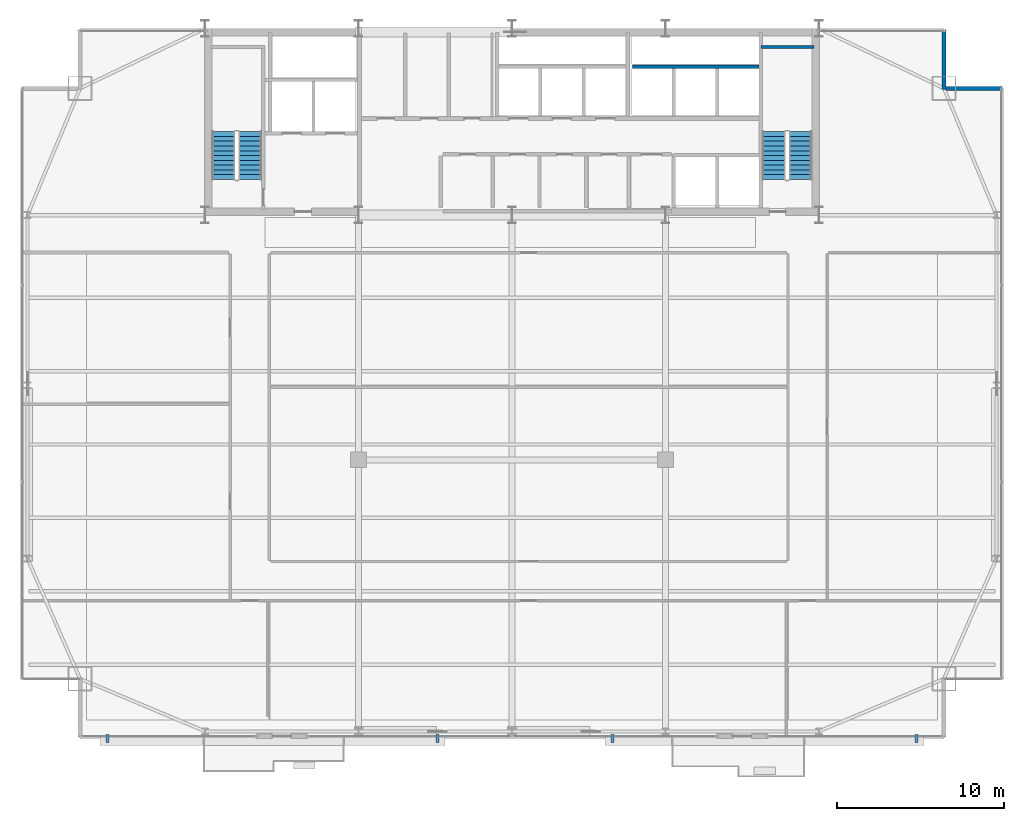
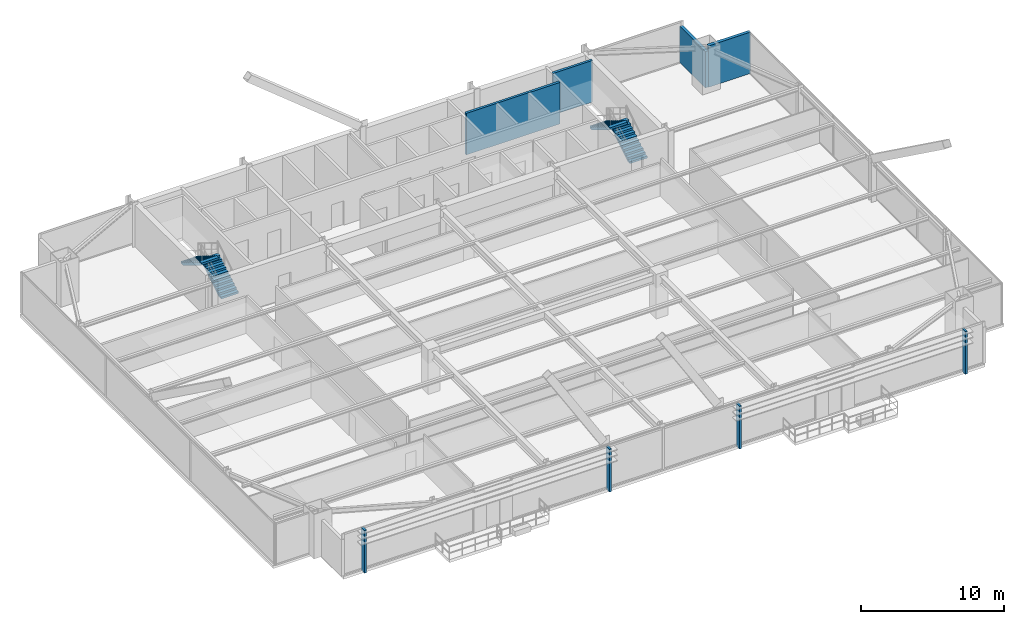
# One storey, part 35 of 37: 4 discrete accessories, 4 stair flights, 4 walls, 2 elements without a shape of their own.
"""IFC4 building model written with IfcOpenShell, lengths in metres."""

from ifc_helpers import new_model, si_unit, direction, frame, frame_2d, origin, origin_2d, place, context, subcontext, project, spatial, polyline, rectangle, outline, extrude, source, transform, mapped, material, layer, layer_set, type_object, type_shapes, element, aggregate, save


model = new_model("IFC4")

# Units and contexts
model_context = context("Model", 3, precision=1e-05, world=origin(), true_north=direction((0.0, 1.0)))
body_context = subcontext(model_context, "Body", "Model", "MODEL_VIEW")
ifc_project = project(units=[si_unit("LENGTHUNIT", "METRE"), si_unit("AREAUNIT", "SQUARE_METRE"), si_unit("VOLUMEUNIT", "CUBIC_METRE"), si_unit("PLANEANGLEUNIT", "RADIAN"), si_unit("MASSUNIT", "GRAM", prefix="KILO")], contexts=[model_context])

# Site, building, storey
site_placement = place(None, origin())
site = spatial("IfcSite", under=ifc_project, at=site_placement, CompositionType="ELEMENT")
building_placement = place(site_placement, origin())
building = spatial("IfcBuilding", under=site, at=building_placement, Name="Varnel Quay Broadcast Tower", CompositionType="ELEMENT")
storey_placement = place(building_placement, frame((0.0, 0.0, 106.800048828125)))
storey = spatial("IfcBuildingStorey", under=building, at=storey_placement, Name="L25", CompositionType="ELEMENT", Elevation=106.800048828125)

# Walls
ifc_material_1 = material(Name="Concrete CSA A23.3 C50/60", Category="concrete")
ifc_layer_1 = layer(ifc_material_1, 0.199951171875, Name="Concrete CSA A23.3 C50/60")
ifc_layer_set_1 = layer_set([ifc_layer_1], Name="Concrete CSA A23.3 C50/60")
wall_type_1 = type_object("IfcWallType", Name="Wall_CoreShaftShear200", PredefinedType="SHEAR", material=ifc_layer_set_1)
wall_1_placement = place(storey_placement, frame((48.919921875, 45.679931640625, 0.0), z_axis=(0.0, 0.0, 1.0), x_axis=(1.0, 0.0, 0.0)))
element("IfcWall", 1, at=wall_1_placement, inside=storey, type_object=wall_type_1, Name="L25 Stair 2 North Structural Wall", PredefinedType="SHEAR", context=body_context, shape_type="SweptSolid", body=[
    extrude(rectangle(XDim=3.18017578125, YDim=0.199951171875, at=frame_2d((1.590087890625, 0.0))), origin(), (0.0, 0.0, 1.0), 3.550048828125),
])
wall_2_placement = place(storey_placement, frame((41.219970703125, 44.5, 0.0), z_axis=(0.0, 0.0, 1.0), x_axis=(1.0, 0.0, 0.0)))
element("IfcWall", 2, at=wall_2_placement, inside=storey, type_object=wall_type_1, Name="L25 High-Rise Lift Shaft Rear Wall", PredefinedType="SHEAR", context=body_context, shape_type="SweptSolid", body=[
    extrude(rectangle(XDim=7.580078125, YDim=0.199951171875, at=frame_2d((3.7900390625, 0.0))), origin(), (0.0, 0.0, 1.0), 3.550048828125),
])
ifc_material_2 = material(Name="Precast Architectural Concrete C40/50", Category="concrete")
ifc_layer_2 = layer(ifc_material_2, 0.25, Name="Precast Architectural Concrete C40/50")
ifc_layer_set_2 = layer_set([ifc_layer_2], Name="Precast Architectural Concrete C40/50")
wall_type_2 = type_object("IfcWallType", Name="Wall_ExtTerrace250", PredefinedType="SOLIDWALL", material=ifc_layer_set_2)
wall_3_placement = place(storey_placement, frame((60.030029296875, 43.199951171875, 0.0), z_axis=(0.0, 0.0, 1.0), x_axis=(1.0, 0.0, 0.0)))
element("IfcWall", 3, at=wall_3_placement, inside=storey, type_object=wall_type_2, Name="L25 Mega-Column Notch Cladding Wall NNE1", PredefinedType="SOLIDWALL", context=body_context, shape_type="SweptSolid", body=[
    extrude(rectangle(XDim=3.389892578125, YDim=0.25, at=frame_2d((1.69482421875, 0.0))), origin(), (0.0, 0.0, 1.0), 3.530029296875),
])
wall_4_placement = place(storey_placement, frame((59.89990234375, 43.1201171875, 0.0), z_axis=(0.0, 0.0, 1.0), x_axis=(0.0, 1.0, 0.0)))
element("IfcWall", 4, at=wall_4_placement, inside=storey, type_object=wall_type_2, Name="L25 Mega-Column Notch Cladding Wall NNE2", PredefinedType="SOLIDWALL", context=body_context, shape_type="SweptSolid", body=[
    extrude(rectangle(XDim=3.599853515625, YDim=0.25, at=frame_2d((1.7998046875, 0.0))), origin(), (0.0, 0.0, 1.0), 3.10791015625),
])

# Stair, stair flights
ifc_material_3 = material(Name="Precast Structural Concrete C40/50", Category="concrete")
stair_type_1 = type_object("IfcStairType", Name="Stair_ST-01", PredefinedType="HALF_TURN_STAIR", material=ifc_material_3)
stair_1_placement = place(storey_placement, origin())
stair_1 = element("IfcStair", 5, at=stair_1_placement, inside=storey, type_object=stair_type_1, Name="L25 West Core Exit Stair 1", PredefinedType="HALF_TURN_STAIR")
stair_flight_type_1 = type_object("IfcStairFlightType", Name="Flight_ST-01", PredefinedType="STRAIGHT", material=ifc_material_3)
stair_flight_1_placement = place(storey_placement, frame((18.300048828125, 37.75, 0.0), z_axis=(0.0, 0.0, 1.0), x_axis=(0.0, 1.0, 0.0)))
stair_flight_1 = element("IfcStairFlight", 6, at=stair_flight_1_placement, type_object=stair_flight_type_1, Name="ST-01 flight 1", NumberOfRisers=11, NumberOfTreads=10, PredefinedType="STRAIGHT", RiserHeight=0.172727273, TreadLength=0.285, context=body_context, shape_type="SweptSolid", body=[
    extrude(outline(polyline([(0.0, 0.0), (0.0, 0.172607421875), (0.284912109375, 0.172607421875), (0.284912109375, 0.345458984375), (0.570068359375, 0.345458984375), (0.570068359375, 0.51806640625), (0.85498046875, 0.51806640625), (0.85498046875, 0.69091796875), (1.139892578125, 0.69091796875), (1.139892578125, 0.863525390625), (1.425048828125, 0.863525390625), (1.425048828125, 1.036376953125), (1.7099609375, 1.036376953125), (1.7099609375, 1.208984375), (1.9951171875, 1.208984375), (1.9951171875, 1.3818359375), (2.280029296875, 1.3818359375), (2.280029296875, 1.554443359375), (2.56494140625, 1.554443359375), (2.56494140625, 1.727294921875), (2.85009765625, 1.727294921875), (2.85009765625, 1.89990234375), (2.85009765625, 1.552001953125), (0.289306640625, 0.0), (0.0, 0.0)])), frame((0.0, 0.699951171875, 0.0), z_axis=(0.0, -1.0, 0.0), x_axis=(1.0, 0.0, 0.0)), (0.0, 0.0, 1.0), 1.39990234375),
])
stair_flight_2_placement = place(storey_placement, frame((16.699951171875, 40.60009765625, 1.89990234375), z_axis=(0.0, 0.0, 1.0), x_axis=(0.0, -1.0, 0.0)))
stair_flight_2 = element("IfcStairFlight", 7, at=stair_flight_2_placement, type_object=stair_flight_type_1, Name="ST-01 flight 2", NumberOfRisers=11, NumberOfTreads=10, PredefinedType="STRAIGHT", RiserHeight=0.172727273, TreadLength=0.285, context=body_context, shape_type="SweptSolid", body=[
    extrude(outline(polyline([(0.0, 0.0), (0.0, 0.172607421875), (0.284912109375, 0.172607421875), (0.284912109375, 0.345458984375), (0.570068359375, 0.345458984375), (0.570068359375, 0.51806640625), (0.85498046875, 0.51806640625), (0.85498046875, 0.69091796875), (1.139892578125, 0.69091796875), (1.139892578125, 0.863525390625), (1.425048828125, 0.863525390625), (1.425048828125, 1.036376953125), (1.7099609375, 1.036376953125), (1.7099609375, 1.208984375), (1.9951171875, 1.208984375), (1.9951171875, 1.3818359375), (2.280029296875, 1.3818359375), (2.280029296875, 1.554443359375), (2.56494140625, 1.554443359375), (2.56494140625, 1.727294921875), (2.85009765625, 1.727294921875), (2.85009765625, 1.89990234375), (2.85009765625, 1.552001953125), (0.289306640625, 0.0), (0.0, 0.0)])), frame((0.0, 0.699951171875, 0.0), z_axis=(0.0, -1.0, 0.0), x_axis=(1.0, 0.0, 0.0)), (0.0, 0.0, 1.0), 1.39990234375),
])
aggregate(stair_1, [stair_flight_1, stair_flight_2])

stair_type_2 = type_object("IfcStairType", Name="Stair_ST-02", PredefinedType="HALF_TURN_STAIR", material=ifc_material_3)
stair_2_placement = place(storey_placement, origin())
stair_2 = element("IfcStair", 8, at=stair_2_placement, inside=storey, type_object=stair_type_2, Name="L25 East Core Exit Stair 2", PredefinedType="HALF_TURN_STAIR")
stair_flight_type_2 = type_object("IfcStairFlightType", Name="Flight_ST-02", PredefinedType="STRAIGHT", material=ifc_material_3)
stair_flight_3_placement = place(storey_placement, frame((51.300048828125, 37.75, 0.0), z_axis=(0.0, 0.0, 1.0), x_axis=(0.0, 1.0, 0.0)))
stair_flight_3 = element("IfcStairFlight", 9, at=stair_flight_3_placement, type_object=stair_flight_type_2, Name="ST-02 flight 1", NumberOfRisers=11, NumberOfTreads=10, PredefinedType="STRAIGHT", RiserHeight=0.172727273, TreadLength=0.285, context=body_context, shape_type="SweptSolid", body=[
    extrude(outline(polyline([(0.0, 0.0), (0.0, 0.172607421875), (0.284912109375, 0.172607421875), (0.284912109375, 0.345458984375), (0.570068359375, 0.345458984375), (0.570068359375, 0.51806640625), (0.85498046875, 0.51806640625), (0.85498046875, 0.69091796875), (1.139892578125, 0.69091796875), (1.139892578125, 0.863525390625), (1.425048828125, 0.863525390625), (1.425048828125, 1.036376953125), (1.7099609375, 1.036376953125), (1.7099609375, 1.208984375), (1.9951171875, 1.208984375), (1.9951171875, 1.3818359375), (2.280029296875, 1.3818359375), (2.280029296875, 1.554443359375), (2.56494140625, 1.554443359375), (2.56494140625, 1.727294921875), (2.85009765625, 1.727294921875), (2.85009765625, 1.89990234375), (2.85009765625, 1.552001953125), (0.289306640625, 0.0), (0.0, 0.0)])), frame((0.0, 0.699951171875, 0.0), z_axis=(0.0, -1.0, 0.0), x_axis=(1.0, 0.0, 0.0)), (0.0, 0.0, 1.0), 1.39990234375),
])
stair_flight_4_placement = place(storey_placement, frame((49.699951171875, 40.60009765625, 1.89990234375), z_axis=(0.0, 0.0, 1.0), x_axis=(0.0, -1.0, 0.0)))
stair_flight_4 = element("IfcStairFlight", 10, at=stair_flight_4_placement, type_object=stair_flight_type_2, Name="ST-02 flight 2", NumberOfRisers=11, NumberOfTreads=10, PredefinedType="STRAIGHT", RiserHeight=0.172727273, TreadLength=0.285, context=body_context, shape_type="SweptSolid", body=[
    extrude(outline(polyline([(0.0, 0.0), (0.0, 0.172607421875), (0.284912109375, 0.172607421875), (0.284912109375, 0.345458984375), (0.570068359375, 0.345458984375), (0.570068359375, 0.51806640625), (0.85498046875, 0.51806640625), (0.85498046875, 0.69091796875), (1.139892578125, 0.69091796875), (1.139892578125, 0.863525390625), (1.425048828125, 0.863525390625), (1.425048828125, 1.036376953125), (1.7099609375, 1.036376953125), (1.7099609375, 1.208984375), (1.9951171875, 1.208984375), (1.9951171875, 1.3818359375), (2.280029296875, 1.3818359375), (2.280029296875, 1.554443359375), (2.56494140625, 1.554443359375), (2.56494140625, 1.727294921875), (2.85009765625, 1.727294921875), (2.85009765625, 1.89990234375), (2.85009765625, 1.552001953125), (0.289306640625, 0.0), (0.0, 0.0)])), frame((0.0, 0.699951171875, 0.0), z_axis=(0.0, -1.0, 0.0), x_axis=(1.0, 0.0, 0.0)), (0.0, 0.0, 1.0), 1.39990234375),
])
aggregate(stair_2, [stair_flight_3, stair_flight_4])

# Discrete accessories
ifc_material_4 = material(Name="Anodised Bronze Aluminium 6063-T6", Category="aluminium")
ifc_layer_3 = layer(ifc_material_4, 0.47998046875, Name="Anodised Bronze Aluminium 6063-T6")
ifc_layer_set_3 = layer_set([ifc_layer_3], Name="Anodised Bronze Aluminium 6063-T6")
discrete_accessory_type = type_object("IfcDiscreteAccessoryType", Name="Acc_FacadeBracket", PredefinedType="BRACKET", material=ifc_layer_set_3)
shared_shape = source(origin(), body_context, "Body", "SweptSolid", [
    extrude(rectangle(XDim=0.159912109375, YDim=0.47998046875, at=origin_2d()), origin(), (0.0, 0.0, 1.0), 3.64990234375),
])
type_shapes(discrete_accessory_type, [shared_shape])
for number, where, z_axis, x_axis, name in (
    (11, (9.75, 4.219970703125, -0.14990234375), (0.0, 0.0, 1.0), (1.0, 0.0, 0.0), "L25 Lobe 1 Louvre Support Bracket 1"),
    (12, (29.529052734375, 4.219970703125, -0.14990234375), (0.0, 0.0, 1.0), (1.0, 0.0, 0.0), "L25 Lobe 1 Louvre Support Bracket 2"),
    (13, (40.029052734375, 4.219970703125, -0.14990234375), (0.0, 0.0, 1.0), (1.0, 0.0, 0.0), "L25 Lobe 2 Louvre Support Bracket 1"),
    (14, (58.25, 4.219970703125, -0.14990234375), (0.0, 0.0, 1.0), (1.0, 0.0, 0.0), "L25 Lobe 2 Louvre Support Bracket 2"),
):
    element("IfcDiscreteAccessory", number, at=place(storey_placement, frame(where, z_axis=z_axis, x_axis=x_axis)), inside=storey, type_object=discrete_accessory_type, Name=name, PredefinedType="BRACKET", context=body_context, shape_type="MappedRepresentation", body=[
        mapped(shared_shape, transform((0.0, 0.0, 0.0), x_axis=(1.0, 0.0, 0.0), y_axis=(0.0, 1.0, 0.0), z_axis=(0.0, 0.0, 1.0), scale=1.0)),
    ])

save(model, "model.ifc")
